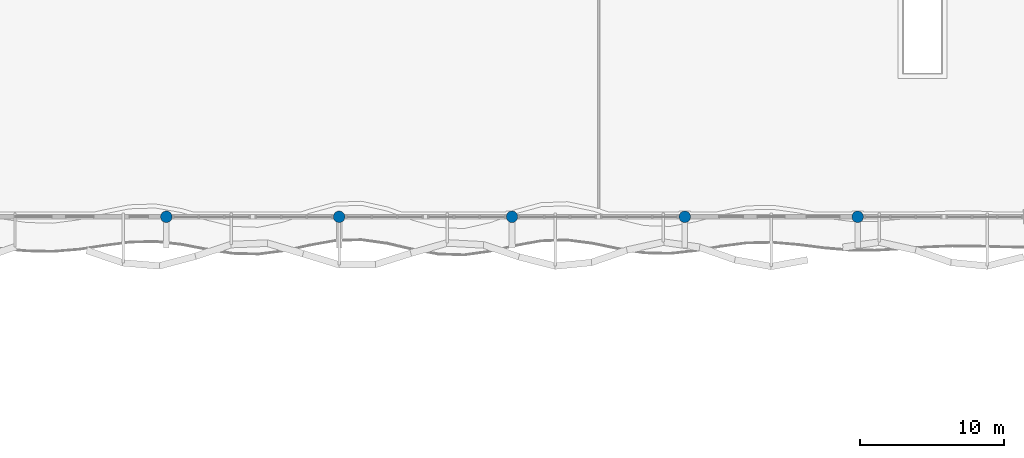
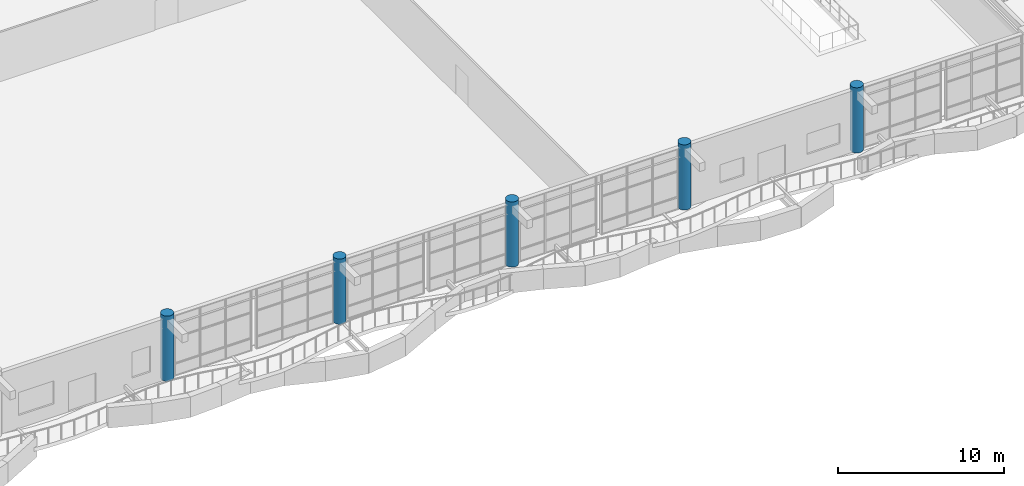
# One storey, part 3 of 72: 5 columns.
"""IFC4 building model written with IfcOpenShell, lengths in metres."""

from ifc_helpers import new_model, si_unit, direction, frame, origin, origin_2d, place, context, subcontext, project, spatial, circle, extrude, material, material_profile, profile_set, type_object, element, save


model = new_model("IFC4")

# Units and contexts
model_context = context("Model", 3, precision=1e-05, world=origin(), true_north=direction((0.0, 1.0)))
body_context = subcontext(model_context, "Body", "Model", "MODEL_VIEW")
ifc_project = project(units=[si_unit("LENGTHUNIT", "METRE"), si_unit("AREAUNIT", "SQUARE_METRE"), si_unit("VOLUMEUNIT", "CUBIC_METRE"), si_unit("PLANEANGLEUNIT", "RADIAN"), si_unit("MASSUNIT", "GRAM", prefix="KILO")], contexts=[model_context])

# Site, building, storey
site_placement = place(None, origin())
site = spatial("IfcSite", under=ifc_project, at=site_placement, CompositionType="ELEMENT")
building_placement = place(site_placement, origin())
building = spatial("IfcBuilding", under=site, at=building_placement, Name="Keelwater Ferry Terminal", CompositionType="ELEMENT")
storey_placement = place(building_placement, frame((0.0, 0.0, 5.39990234375)))
storey = spatial("IfcBuildingStorey", under=building, at=storey_placement, Name="L01", CompositionType="ELEMENT", Elevation=5.39990234375)

# Columns
ifc_material = material(Name="Concrete C50/60", Category="concrete")
ifc_material_profile = material_profile(ifc_material, circle(Radius=0.39990234375, at=origin_2d()), Name="RC D800")
ifc_profile_set = profile_set([ifc_material_profile], Name="Concrete C50/60")
column_type = type_object("IfcColumnType", Name="C6 RC D800", PredefinedType="COLUMN", material=ifc_profile_set)
for number, where, z_axis, x_axis, name in (
    (1, (72.0, 42.0, 0.0), (0.0, 0.0, 1.0), (1.0, 0.0, 0.0), "Column CL-L01-0127"),
    (2, (84.0, 42.0, 0.0), (0.0, 0.0, 1.0), (1.0, 0.0, 0.0), "Column CL-L01-0140"),
    (3, (96.0, 42.0, 0.0), (0.0, 0.0, 1.0), (1.0, 0.0, 0.0), "Column CL-L01-0153"),
    (4, (108.0, 42.0, 0.0), (0.0, 0.0, 1.0), (1.0, 0.0, 0.0), "Column CL-L01-0166"),
    (5, (120.0, 42.0, 0.0), (0.0, 0.0, 1.0), (1.0, 0.0, 0.0), "Column CL-L01-0198"),
):
    element("IfcColumn", number, at=place(storey_placement, frame(where, z_axis=z_axis, x_axis=x_axis)), inside=storey, type_object=column_type, Name=name, PredefinedType="COLUMN", context=body_context, shape_type="SweptSolid", body=[
        extrude(circle(Radius=0.39990234375, at=origin_2d()), origin(), (0.0, 0.0, 1.0), 4.800048828125),
    ])

save(model, "model.ifc")
